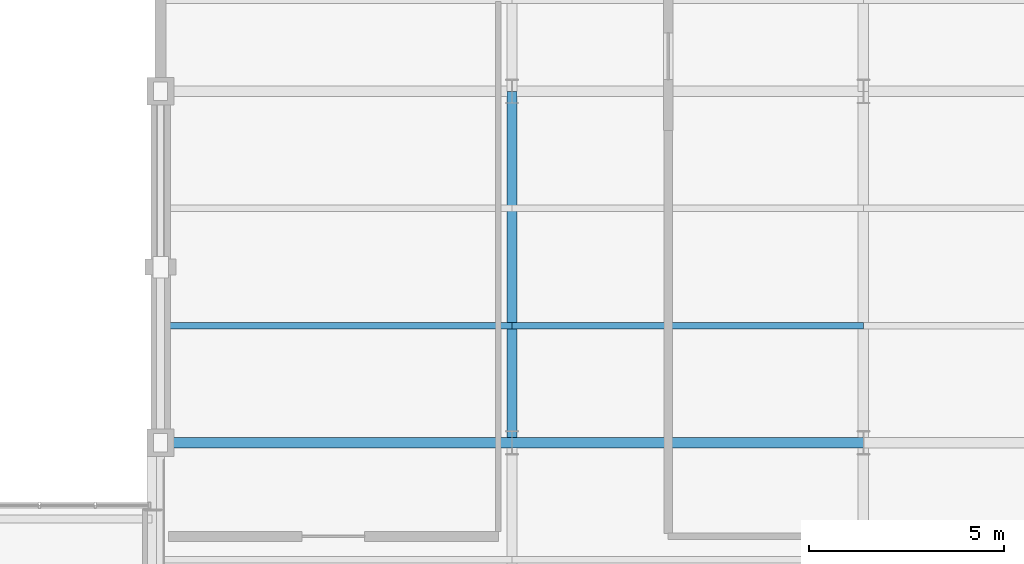
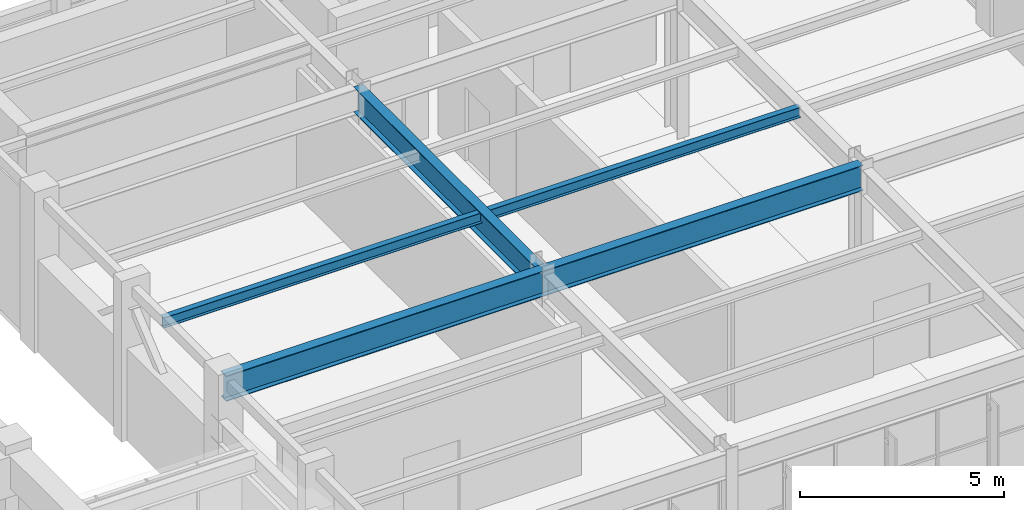
# One storey, part 64 of 99: 3 beams, 2 members.
"""IFC4 building model written with IfcOpenShell, lengths in metres."""

import ifcopenshell
import ifcopenshell.guid

model = None  # the IFC model being written
_history = None  # IfcOwnerHistory: only IFC2X3 demands one
_inside = {}  # id of a spatial element -> (the spatial element, [elements in it])
_under = {}  # id of a project, library or spatial element -> (it, [spatial elements below it])
_declared = {}  # id of a project -> (the project, [libraries it declares])
_typed = {}  # id of a type object -> (the type object, [elements of that type])
_made_of = {}  # id of a material, layer set ... -> (it, [elements and type objects made of it])


def new_model(schema):
    """Start an empty IFC model of exactly this schema.

    Asked for "IFC4X3", IfcOpenShell would pick the latest addendum, in which some entities
    have other attributes; the version numbers below select the first issue.
    IFC2X3 requires an IfcOwnerHistory on every rooted entity: one is made here for all.
    """
    global model, _history
    if schema == "IFC4X3":
        model = ifcopenshell.file(schema_version=(4, 3, 0, 0))
    else:
        model = ifcopenshell.file(schema=schema)
    _inside.clear()
    _under.clear()
    _declared.clear()
    _typed.clear()
    _made_of.clear()
    _history = None
    if model.schema == "IFC2X3":
        org = make("IfcOrganization", Name="unknown")
        user = make(
            "IfcPersonAndOrganization",
            ThePerson=make("IfcPerson", FamilyName="unknown"),
            TheOrganization=org,
        )
        app = make(
            "IfcApplication",
            ApplicationDeveloper=org,
            Version="unknown",
            ApplicationFullName="unknown",
            ApplicationIdentifier="unknown",
        )
        _history = make(
            "IfcOwnerHistory",
            OwningUser=user,
            OwningApplication=app,
            ChangeAction="ADDED",
            CreationDate=0,
        )
    return model


def make(cls, **values):
    """One entity of the class cls with the attributes given. An attribute that is None is left unset."""
    return model.create_entity(
        cls, **{name: value for name, value in values.items() if value is not None}
    )


def rooted(cls, **values):
    """An entity with a GlobalId (a new one), such as an element, a storey or a relation."""
    return make(cls, GlobalId=ifcopenshell.guid.new(), OwnerHistory=_history, **values)


def si_unit(unit_type, name, prefix=None):
    """IfcSIUnit, for example si_unit("LENGTHUNIT", "METRE", prefix="MILLI")."""
    return make("IfcSIUnit", UnitType=unit_type, Prefix=prefix, Name=name)


def assignment(units):
    """IfcUnitAssignment: the units of a project."""
    return None if units is None else make("IfcUnitAssignment", Units=units)


def point(xyz):
    """IfcCartesianPoint."""
    return None if xyz is None else make("IfcCartesianPoint", Coordinates=xyz)


def direction(xyz):
    """IfcDirection."""
    return None if xyz is None else make("IfcDirection", DirectionRatios=xyz)


def frame(location, z_axis=None, x_axis=None):
    """IfcAxis2Placement3D, a coordinate frame: its origin and axes. An axis left out is left unset."""
    return make(
        "IfcAxis2Placement3D",
        Location=point(location),
        Axis=direction(z_axis),
        RefDirection=direction(x_axis),
    )


def frame_2d(location, x_axis=None):
    """IfcAxis2Placement2D, a coordinate frame in the plane: its origin and x axis."""
    return make(
        "IfcAxis2Placement2D", Location=point(location), RefDirection=direction(x_axis)
    )


def origin():
    """The frame at (0, 0, 0) with its axes left unset."""
    return frame((0.0, 0.0, 0.0))


def origin_2d():
    """The frame at (0, 0) in the plane with its x axis left unset."""
    return frame_2d((0.0, 0.0))


def place(relative_to, where):
    """IfcLocalPlacement: puts the frame where relative to a parent placement (None: the world)."""
    return make(
        "IfcLocalPlacement", PlacementRelTo=relative_to, RelativePlacement=where
    )


def context(
    kind, dimensions, precision=None, world=None, true_north=None, identifier=None
):
    """IfcGeometricRepresentationContext, for example the 3D "Model" context."""
    return make(
        "IfcGeometricRepresentationContext",
        ContextIdentifier=identifier,
        ContextType=kind,
        CoordinateSpaceDimension=dimensions,
        Precision=precision,
        WorldCoordinateSystem=world,
        TrueNorth=true_north,
    )


def subcontext(parent, identifier, kind, view, scale=None):
    """IfcGeometricRepresentationSubContext, for example "Body" below "Model"."""
    return make(
        "IfcGeometricRepresentationSubContext",
        ContextIdentifier=identifier,
        ContextType=kind,
        ParentContext=parent,
        TargetScale=scale,
        TargetView=view,
    )


def project(units=None, contexts=None):
    """IfcProject with its units and contexts."""
    return rooted(
        "IfcProject",
        Name="project",
        RepresentationContexts=contexts,
        UnitsInContext=assignment(units),
    )


def spatial(cls, under=None, at=None, **own):
    """A site, building, storey or space (cls), placed at a placement, below another one or the project."""
    s = rooted(cls, ObjectPlacement=at, **own)
    if under is not None:
        _under.setdefault(under.id(), (under, []))[1].append(s)
    return s


def profile(cls, at=None, kind="AREA", **sizes):
    """A parametric profile (cls). Its sizes go by their IFC names, for example OverallWidth=200.0."""
    return make(cls, ProfileType=kind, Position=at, **sizes)


def i_section(**sizes):
    """IfcIShapeProfileDef."""
    return profile("IfcIShapeProfileDef", **sizes)


def extrude(swept, where, along, depth):
    """IfcExtrudedAreaSolid: the profile swept, set in the frame where, extruded along a direction by depth."""
    return make(
        "IfcExtrudedAreaSolid",
        SweptArea=swept,
        Position=where,
        ExtrudedDirection=direction(along),
        Depth=depth,
    )


def shape(context_of_items, identifier, shape_type, items):
    """IfcShapeRepresentation: the items that make up one representation, for example the "Body"."""
    return make(
        "IfcShapeRepresentation",
        ContextOfItems=context_of_items,
        RepresentationIdentifier=identifier,
        RepresentationType=shape_type,
        Items=items,
    )


def material(Name=None, Category=None):
    """IfcMaterial."""
    return make("IfcMaterial", Name=Name, Category=Category)


def material_profile(
    of_material, cross_section, Name=None, Category=None, Priority=None
):
    """IfcMaterialProfile: a cross section and its material."""
    return make(
        "IfcMaterialProfile",
        Name=Name,
        Material=of_material,
        Profile=cross_section,
        Priority=Priority,
        Category=Category,
    )


def profile_set(profiles, Name=None, composite=None):
    """IfcMaterialProfileSet."""
    return make(
        "IfcMaterialProfileSet",
        Name=Name,
        MaterialProfiles=profiles,
        CompositeProfile=composite,
    )


def made_of(thing, what):
    """Note that an element or type object is made of a material, layer set ...; save() writes the relation."""
    if what is not None:
        _made_of.setdefault(what.id(), (what, []))[1].append(thing)
    return thing


def type_object(cls, material=None, **own):
    """A type object (cls), such as IfcWallType, which elements share."""
    return made_of(rooted(cls, **own), material)


def element(
    cls,
    number,
    at=None,
    inside=None,
    cuts=None,
    type_object=None,
    material=None,
    context=None,
    identifier="Body",
    shape_type=None,
    held_by="IfcProductDefinitionShape",
    body=None,
    shapes=None,
    **own,
):
    """One element of the class cls, such as IfcWall. Its Tag is "e" and its number.

    at: its placement. inside: the storey or other place that contains it. cuts: it is an
    opening in that element (IfcRelVoidsElement). A single representation is given by context,
    identifier, shape_type and body (its items); several are given by shapes. held_by: the class
    of the entity that holds the representations. save() writes the other relations.
    """
    e = rooted(cls, Tag="e%d" % number, ObjectPlacement=at, **own)
    if body is not None:
        shapes = [shape(context, identifier, shape_type, body)]
    if shapes is not None:
        e.Representation = make(held_by, Representations=shapes)
    if inside is not None:
        _inside.setdefault(inside.id(), (inside, []))[1].append(e)
    if cuts is not None:
        rooted(
            "IfcRelVoidsElement", RelatingBuildingElement=cuts, RelatedOpeningElement=e
        )
    if type_object is not None:
        _typed.setdefault(type_object.id(), (type_object, []))[1].append(e)
    return made_of(e, material)


def aggregate(whole, parts):
    """IfcRelAggregates: a whole, such as a stair, and the parts it consists of."""
    return rooted("IfcRelAggregates", RelatingObject=whole, RelatedObjects=parts)


def save(model, path):
    """Write the relations noted so far, then the file.

    IfcRelAggregates (storeys below a building ...), IfcRelContainedInSpatialStructure (elements
    in a storey), IfcRelDefinesByType, IfcRelAssociatesMaterial and IfcRelDeclares: one each for
    every whole, place, type object, material and project.
    """
    for whole, parts in _under.values():
        aggregate(whole, parts)
    for where, things in _inside.values():
        rooted(
            "IfcRelContainedInSpatialStructure",
            RelatedElements=things,
            RelatingStructure=where,
        )
    for kind, things in _typed.values():
        rooted("IfcRelDefinesByType", RelatedObjects=things, RelatingType=kind)
    for what, things in _made_of.values():
        rooted("IfcRelAssociatesMaterial", RelatedObjects=things, RelatingMaterial=what)
    for by, libraries in _declared.values():
        rooted("IfcRelDeclares", RelatingContext=by, RelatedDefinitions=libraries)
    model.write(path)


model = new_model("IFC4")

# Units and contexts
model_context = context("Model", 3, precision=1e-05, world=origin(), true_north=direction((0.0, 1.0)))
body_context = subcontext(model_context, "Body", "Model", "MODEL_VIEW")
ifc_project = project(units=[si_unit("LENGTHUNIT", "METRE"), si_unit("AREAUNIT", "SQUARE_METRE"), si_unit("VOLUMEUNIT", "CUBIC_METRE"), si_unit("PLANEANGLEUNIT", "RADIAN"), si_unit("MASSUNIT", "GRAM", prefix="KILO")], contexts=[model_context])

# Site, building, storey
site_placement = place(None, origin())
site = spatial("IfcSite", under=ifc_project, at=site_placement, CompositionType="ELEMENT")
building_placement = place(site_placement, origin())
building = spatial("IfcBuilding", under=site, at=building_placement, Name="Ventoquebrada Cableway Terminal", CompositionType="ELEMENT")
storey_placement = place(building_placement, frame((0.0, 0.0, 9.60009765625)))
storey = spatial("IfcBuildingStorey", under=building, at=storey_placement, Name="L02", CompositionType="ELEMENT", Elevation=9.60009765625)

# Beams
ifc_material = material(Name="Steel ASTM A992 Grade 50", Category="steel")
ifc_material_profile_1 = material_profile(ifc_material, i_section(OverallWidth=0.26708984375, OverallDepth=0.761962890625, WebThickness=0.014404296875, FlangeThickness=0.021484375, at=origin_2d()), Name="W30X116")
ifc_profile_set_1 = profile_set([ifc_material_profile_1], Name="Steel ASTM A992 Grade 50")
beam_type = type_object("IfcBeamType", Name="BM-ST05", PredefinedType="BEAM", material=ifc_profile_set_1)
for number, where, z_axis, x_axis, name in (
    (1, (129.0, 86.0, 4.14892578125), (1.0, 0.0, 0.0), (0.0, 1.0, 0.0), "Primary frame girder FBM-0859"),
    (2, (138.0, 86.0, 4.14892578125), (1.0, 0.0, 0.0), (0.0, 1.0, 0.0), "Primary frame girder FBM-0860"),
    (3, (138.0, 86.0, 4.14892578125), (0.0, 1.0, 0.0), (-1.0, 0.0, 0.0), "Primary frame girder FBM-0877"),
):
    element("IfcBeam", number, at=place(storey_placement, frame(where, z_axis=z_axis, x_axis=x_axis)), inside=storey, type_object=beam_type, Name=name, PredefinedType="BEAM", context=body_context, shape_type="SweptSolid", body=[
        extrude(i_section(OverallWidth=0.26708984375, OverallDepth=0.761962890625, WebThickness=0.014404296875, FlangeThickness=0.021484375, at=origin_2d()), origin(), (0.0, 0.0, 1.0), 9.0),
    ])

# Members
ifc_material_profile_2 = material_profile(ifc_material, i_section(OverallWidth=0.1650390625, OverallDepth=0.31005859375, WebThickness=0.005859375, FlangeThickness=0.009765625, at=origin_2d()), Name="W12X26")
ifc_profile_set_2 = profile_set([ifc_material_profile_2], Name="Steel ASTM A992 Grade 50")
member_type = type_object("IfcMemberType", Name="PUR-RF05", PredefinedType="PURLIN", material=ifc_profile_set_2)
for number, where, z_axis, x_axis, name in (
    (4, (129.0, 89.0, 4.260009765625), (1.0, 0.0, 0.0), (0.0, 1.0, 0.0), "Roof support purlin RPR-0517"),
    (5, (138.0, 89.0, 4.260009765625), (1.0, 0.0, 0.0), (0.0, 1.0, 0.0), "Roof support purlin RPR-0518"),
):
    element("IfcMember", number, at=place(storey_placement, frame(where, z_axis=z_axis, x_axis=x_axis)), inside=storey, type_object=member_type, Name=name, PredefinedType="PURLIN", context=body_context, shape_type="SweptSolid", body=[
        extrude(i_section(OverallWidth=0.1650390625, OverallDepth=0.31005859375, WebThickness=0.005859375, FlangeThickness=0.009765625, at=origin_2d()), origin(), (0.0, 0.0, 1.0), 9.0),
    ])

save(model, "model.ifc")
